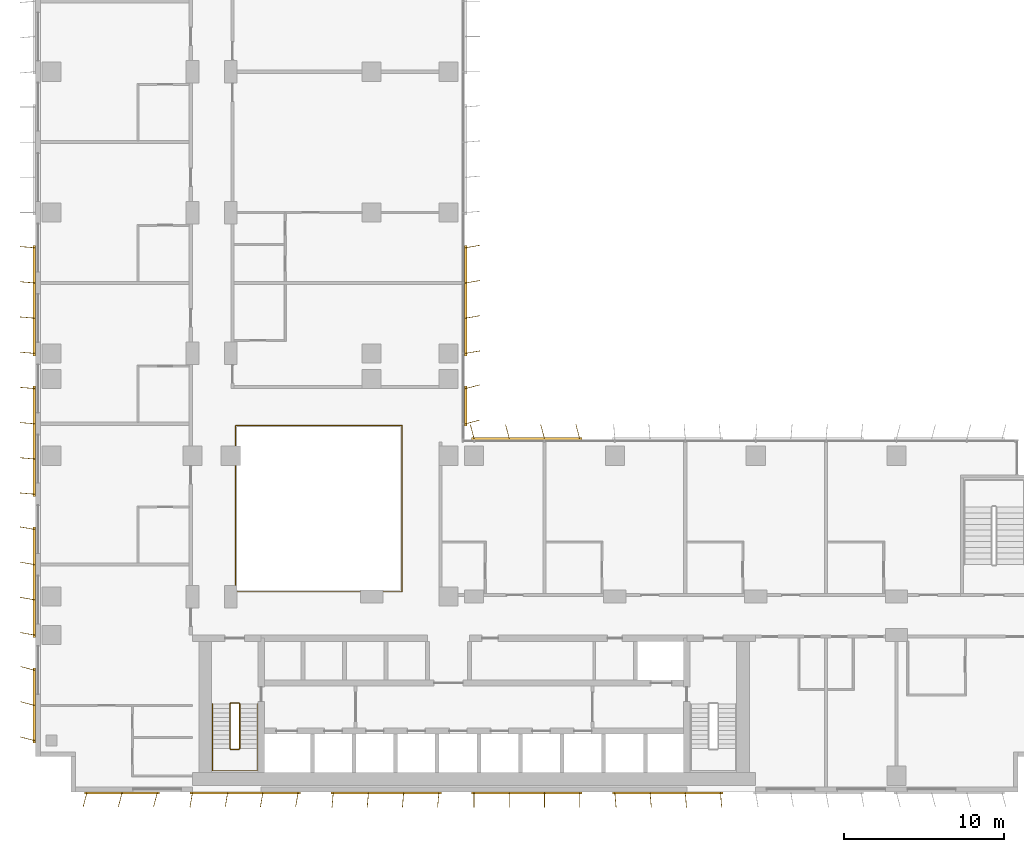
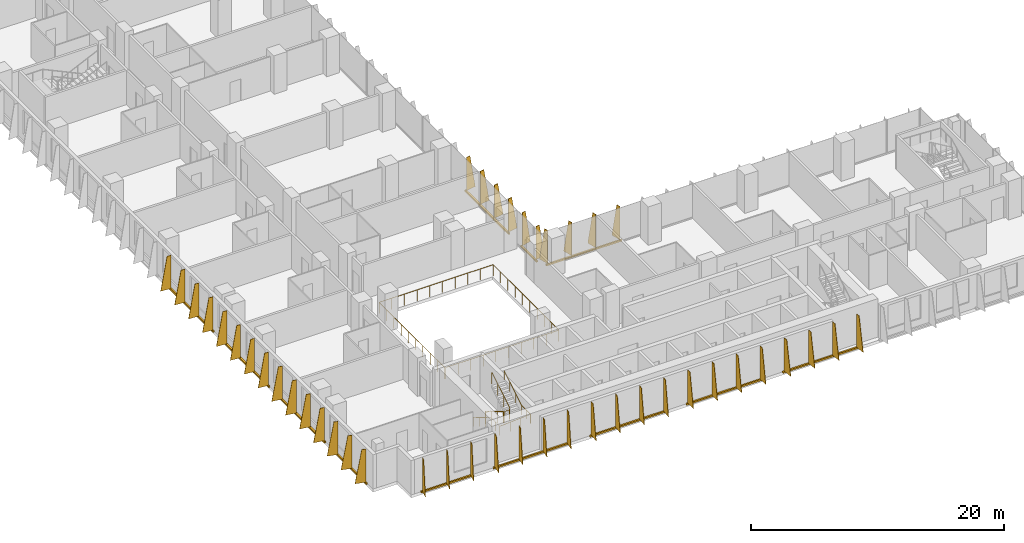
# One storey, part 19 of 22: 12 shading devices, 3 railings.
"""IFC4 building model written with IfcOpenShell, lengths in metres."""

from ifc_helpers import new_model, si_unit, direction, frame, origin, origin_2d, place, context, subcontext, project, spatial, polyline, rectangle, circle, outline, extrude, source, transform, mapped, material, layer, layer_set, type_object, element, save


model = new_model("IFC4")

# Units and contexts
model_context = context("Model", 3, precision=1e-05, world=origin(), true_north=direction((0.0, 1.0)))
body_context = subcontext(model_context, "Body", "Model", "MODEL_VIEW")
ifc_project = project(units=[si_unit("LENGTHUNIT", "METRE"), si_unit("AREAUNIT", "SQUARE_METRE"), si_unit("VOLUMEUNIT", "CUBIC_METRE"), si_unit("PLANEANGLEUNIT", "RADIAN"), si_unit("MASSUNIT", "GRAM", prefix="KILO")], contexts=[model_context])

# Site, building, storey
site_placement = place(None, origin())
site = spatial("IfcSite", under=ifc_project, at=site_placement, CompositionType="ELEMENT")
building_placement = place(site_placement, origin())
building = spatial("IfcBuilding", under=site, at=building_placement, Name="Kemantara Hotel Tower", CompositionType="ELEMENT")
storey_placement = place(building_placement, frame((0.0, 0.0, 98.199951171875)))
storey = spatial("IfcBuildingStorey", under=building, at=storey_placement, Name="L23", CompositionType="ELEMENT", Elevation=98.199951171875)

# Railings
ifc_material_1 = material(Name="Stainless steel and laminated glass balustrade", Category="steel")
railing_type_1 = type_object("IfcRailingType", Name="ATRIUM GUARD 1100", PredefinedType="GUARDRAIL", material=ifc_material_1)
railing_1_placement = place(storey_placement, frame((12.56005859375, 12.5, 0.0)))
element("IfcRailing", 1, at=railing_1_placement, inside=storey, type_object=railing_type_1, Name="ATRIUM GUARD L23", PredefinedType="GUARDRAIL", context=body_context, shape_type="SweptSolid", body=[
    extrude(circle(Radius=0.02490234375, at=origin_2d()), frame((0.0, 0.0, 1.0751953125), z_axis=(1.0, 0.0, 0.0), x_axis=(0.0, 1.0, 0.0)), (0.0, 0.0, 1.0), 10.33984375),
    extrude(circle(Radius=0.02490234375, at=origin_2d()), frame((10.33984375, 0.0, 1.0751953125), z_axis=(0.0, 1.0, 0.0), x_axis=(-1.0, 0.0, 0.0)), (0.0, 0.0, 1.0), 10.39990234375),
    extrude(circle(Radius=0.02490234375, at=origin_2d()), frame((10.33984375, 10.39990234375, 1.0751953125), z_axis=(-1.0, 0.0, 0.0), x_axis=(0.0, -1.0, 0.0)), (0.0, 0.0, 1.0), 10.39990234375),
    extrude(circle(Radius=0.02490234375, at=origin_2d()), frame((-0.06005859375, 10.39990234375, 1.0751953125), z_axis=(0.0, -1.0, 0.0), x_axis=(1.0, 0.0, 0.0)), (0.0, 0.0, 1.0), 10.39990234375),
    extrude(circle(Radius=0.02001953125, at=origin_2d()), origin(), (0.0, 0.0, 1.0), 1.050048828125),
    extrude(circle(Radius=0.02001953125, at=origin_2d()), frame((1.14892578125, 0.0, 0.0)), (0.0, 0.0, 1.0), 1.050048828125),
    extrude(circle(Radius=0.02001953125, at=origin_2d()), frame((2.2978515625, 0.0, 0.0)), (0.0, 0.0, 1.0), 1.050048828125),
    extrude(circle(Radius=0.02001953125, at=origin_2d()), frame((3.446533203125, 0.0, 0.0)), (0.0, 0.0, 1.0), 1.050048828125),
    extrude(circle(Radius=0.02001953125, at=origin_2d()), frame((4.595458984375, 0.0, 0.0)), (0.0, 0.0, 1.0), 1.050048828125),
    extrude(circle(Radius=0.02001953125, at=origin_2d()), frame((5.744384765625, 0.0, 0.0)), (0.0, 0.0, 1.0), 1.050048828125),
    extrude(circle(Radius=0.02001953125, at=origin_2d()), frame((6.893310546875, 0.0, 0.0)), (0.0, 0.0, 1.0), 1.050048828125),
    extrude(circle(Radius=0.02001953125, at=origin_2d()), frame((8.0419921875, 0.0, 0.0)), (0.0, 0.0, 1.0), 1.050048828125),
    extrude(circle(Radius=0.02001953125, at=origin_2d()), frame((9.19091796875, 0.0, 0.0)), (0.0, 0.0, 1.0), 1.050048828125),
    extrude(circle(Radius=0.02001953125, at=origin_2d()), frame((10.33984375, 0.0, 0.0)), (0.0, 0.0, 1.0), 1.050048828125),
    extrude(circle(Radius=0.02001953125, at=origin_2d()), frame((10.33984375, 1.155517578125, 0.0)), (0.0, 0.0, 1.0), 1.050048828125),
    extrude(circle(Radius=0.02001953125, at=origin_2d()), frame((10.33984375, 2.31103515625, 0.0)), (0.0, 0.0, 1.0), 1.050048828125),
    extrude(circle(Radius=0.02001953125, at=origin_2d()), frame((10.33984375, 3.466552734375, 0.0)), (0.0, 0.0, 1.0), 1.050048828125),
    extrude(circle(Radius=0.02001953125, at=origin_2d()), frame((10.33984375, 4.6220703125, 0.0)), (0.0, 0.0, 1.0), 1.050048828125),
    extrude(circle(Radius=0.02001953125, at=origin_2d()), frame((10.33984375, 5.77783203125, 0.0)), (0.0, 0.0, 1.0), 1.050048828125),
    extrude(circle(Radius=0.02001953125, at=origin_2d()), frame((10.33984375, 6.933349609375, 0.0)), (0.0, 0.0, 1.0), 1.050048828125),
    extrude(circle(Radius=0.02001953125, at=origin_2d()), frame((10.33984375, 8.0888671875, 0.0)), (0.0, 0.0, 1.0), 1.050048828125),
    extrude(circle(Radius=0.02001953125, at=origin_2d()), frame((10.33984375, 9.244384765625, 0.0)), (0.0, 0.0, 1.0), 1.050048828125),
    extrude(circle(Radius=0.02001953125, at=origin_2d()), frame((10.33984375, 10.39990234375, 0.0)), (0.0, 0.0, 1.0), 1.050048828125),
    extrude(circle(Radius=0.02001953125, at=origin_2d()), frame((9.184326171875, 10.39990234375, 0.0)), (0.0, 0.0, 1.0), 1.050048828125),
    extrude(circle(Radius=0.02001953125, at=origin_2d()), frame((8.02880859375, 10.39990234375, 0.0)), (0.0, 0.0, 1.0), 1.050048828125),
    extrude(circle(Radius=0.02001953125, at=origin_2d()), frame((6.873291015625, 10.39990234375, 0.0)), (0.0, 0.0, 1.0), 1.050048828125),
    extrude(circle(Radius=0.02001953125, at=origin_2d()), frame((5.7177734375, 10.39990234375, 0.0)), (0.0, 0.0, 1.0), 1.050048828125),
    extrude(circle(Radius=0.02001953125, at=origin_2d()), frame((4.56201171875, 10.39990234375, 0.0)), (0.0, 0.0, 1.0), 1.050048828125),
    extrude(circle(Radius=0.02001953125, at=origin_2d()), frame((3.406494140625, 10.39990234375, 0.0)), (0.0, 0.0, 1.0), 1.050048828125),
    extrude(circle(Radius=0.02001953125, at=origin_2d()), frame((2.2509765625, 10.39990234375, 0.0)), (0.0, 0.0, 1.0), 1.050048828125),
    extrude(circle(Radius=0.02001953125, at=origin_2d()), frame((1.095458984375, 10.39990234375, 0.0)), (0.0, 0.0, 1.0), 1.050048828125),
    extrude(circle(Radius=0.02001953125, at=origin_2d()), frame((-0.06005859375, 10.39990234375, 0.0)), (0.0, 0.0, 1.0), 1.050048828125),
    extrude(circle(Radius=0.02001953125, at=origin_2d()), frame((-0.06005859375, 9.244384765625, 0.0)), (0.0, 0.0, 1.0), 1.050048828125),
    extrude(circle(Radius=0.02001953125, at=origin_2d()), frame((-0.06005859375, 8.0888671875, 0.0)), (0.0, 0.0, 1.0), 1.050048828125),
    extrude(circle(Radius=0.02001953125, at=origin_2d()), frame((-0.06005859375, 6.933349609375, 0.0)), (0.0, 0.0, 1.0), 1.050048828125),
    extrude(circle(Radius=0.02001953125, at=origin_2d()), frame((-0.06005859375, 5.77783203125, 0.0)), (0.0, 0.0, 1.0), 1.050048828125),
    extrude(circle(Radius=0.02001953125, at=origin_2d()), frame((-0.06005859375, 4.6220703125, 0.0)), (0.0, 0.0, 1.0), 1.050048828125),
    extrude(circle(Radius=0.02001953125, at=origin_2d()), frame((-0.06005859375, 3.466552734375, 0.0)), (0.0, 0.0, 1.0), 1.050048828125),
    extrude(circle(Radius=0.02001953125, at=origin_2d()), frame((-0.06005859375, 2.31103515625, 0.0)), (0.0, 0.0, 1.0), 1.050048828125),
    extrude(circle(Radius=0.02001953125, at=origin_2d()), frame((-0.06005859375, 1.155517578125, 0.0)), (0.0, 0.0, 1.0), 1.050048828125),
    extrude(circle(Radius=0.02001953125, at=origin_2d()), frame((-0.06005859375, 0.0, 0.0)), (0.0, 0.0, 1.0), 1.050048828125),
])
ifc_material_2 = material(Name="Stainless steel balustrade", Category="steel")
railing_type_2 = type_object("IfcRailingType", Name="Stair guard 1100 mm", PredefinedType="GUARDRAIL", material=ifc_material_2)
railing_2_placement = place(storey_placement, frame((12.75, 5.5, 3.699951171875)))
element("IfcRailing", 2, at=railing_2_placement, inside=storey, type_object=railing_type_2, Name="L23 ST1 stair guard 1", PredefinedType="GUARDRAIL", context=body_context, shape_type="SweptSolid", body=[
    extrude(circle(Radius=0.02392578125, at=origin_2d()), frame((0.0, 0.0, 1.076171875), z_axis=(0.0, -0.857275202839, -0.514858452973), x_axis=(1.0, 0.0, 0.0)), (0.0, 0.0, 1.0), 3.26611328125),
    extrude(circle(Radius=0.02392578125, at=origin_2d()), frame((0.0, -2.800048828125, -0.60546875), z_axis=(-0.274243871929, -0.274243871929, -0.92172696468), x_axis=(0.707106781187, -0.707106781187, 0.0)), (0.0, 0.0, 1.0), 0.1826171875),
    extrude(circle(Radius=0.02392578125, at=origin_2d()), frame((-0.050048828125, -2.85009765625, -0.77392578125), z_axis=(-1.0, 0.0, 0.0), x_axis=(0.0, -1.0, 0.0)), (0.0, 0.0, 1.0), 0.5),
    extrude(circle(Radius=0.02392578125, at=origin_2d()), frame((-0.550048828125, -2.85009765625, -0.77392578125), z_axis=(-0.707106781187, 0.707106781187, 0.0), x_axis=(-0.707106781187, -0.707106781187, 0.0)), (0.0, 0.0, 1.0), 0.07080078125),
    extrude(circle(Radius=0.02392578125, at=origin_2d()), frame((-0.60009765625, -2.800048828125, -0.77392578125), z_axis=(0.0, 0.857242210791, -0.514913383045), x_axis=(-1.0, 0.0, 0.0)), (0.0, 0.0, 1.0), 3.266357421875),
    extrude(circle(Radius=0.02392578125, at=origin_2d()), frame((-0.60009765625, 0.0, -2.45556640625), z_axis=(0.274243871929, 0.274243871929, -0.92172696468), x_axis=(-0.707106781187, 0.707106781187, 0.0)), (0.0, 0.0, 1.0), 0.1826171875),
    extrude(circle(Radius=0.02392578125, at=origin_2d()), frame((-0.550048828125, 0.050048828125, -2.6240234375), z_axis=(1.0, 0.0, 0.0), x_axis=(0.0, 1.0, 0.0)), (0.0, 0.0, 1.0), 0.5),
    extrude(circle(Radius=0.02099609375, at=origin_2d()), origin(), (0.0, 0.0, 1.0), 1.052001953125),
    extrude(circle(Radius=0.02099609375, at=origin_2d()), frame((0.0, -0.933349609375, -0.560546875)), (0.0, 0.0, 1.0), 1.052001953125),
    extrude(circle(Radius=0.02099609375, at=origin_2d()), frame((0.0, -1.86669921875, -1.12109375)), (0.0, 0.0, 1.0), 1.052001953125),
    extrude(circle(Radius=0.02099609375, at=origin_2d()), frame((0.0, -2.800048828125, -1.681640625)), (0.0, 0.0, 1.0), 1.052001953125),
    extrude(circle(Radius=0.02099609375, at=origin_2d()), frame((-0.050048828125, -2.85009765625, -1.849853515625)), (0.0, 0.0, 1.0), 1.052001953125),
    extrude(circle(Radius=0.02099609375, at=origin_2d()), frame((-0.550048828125, -2.85009765625, -1.849853515625)), (0.0, 0.0, 1.0), 1.052001953125),
    extrude(circle(Radius=0.02099609375, at=origin_2d()), frame((-0.60009765625, -2.800048828125, -1.849853515625)), (0.0, 0.0, 1.0), 1.052001953125),
    extrude(circle(Radius=0.02099609375, at=origin_2d()), frame((-0.60009765625, -1.86669921875, -2.410400390625)), (0.0, 0.0, 1.0), 1.052001953125),
    extrude(circle(Radius=0.02099609375, at=origin_2d()), frame((-0.60009765625, -0.933349609375, -2.97119140625)), (0.0, 0.0, 1.0), 1.052001953125),
    extrude(circle(Radius=0.02099609375, at=origin_2d()), frame((-0.60009765625, 0.0, -3.53173828125)), (0.0, 0.0, 1.0), 1.052001953125),
    extrude(circle(Radius=0.02099609375, at=origin_2d()), frame((-0.550048828125, 0.050048828125, -3.699951171875)), (0.0, 0.0, 1.0), 1.052001953125),
    extrude(circle(Radius=0.02099609375, at=origin_2d()), frame((-0.050048828125, 0.050048828125, -3.699951171875)), (0.0, 0.0, 1.0), 1.052001953125),
])
railing_type_3 = type_object("IfcRailingType", Name="Stair handrail 900 mm", PredefinedType="HANDRAIL", material=ifc_material_2)
railing_3_placement = place(storey_placement, frame((11.050048828125, 5.5, 0.168212890625)))
element("IfcRailing", 3, at=railing_3_placement, inside=storey, type_object=railing_type_3, Name="L23 ST1 stair handrail 1", PredefinedType="HANDRAIL", context=body_context, shape_type="SweptSolid", body=[
    extrude(circle(Radius=0.02392578125, at=origin_2d()), frame((0.0, 0.0, 0.8759765625), z_axis=(0.0, -0.857242210791, 0.514913383045), x_axis=(1.0, 0.0, 0.0)), (0.0, 0.0, 1.0), 3.266357421875),
    extrude(circle(Radius=0.02392578125, at=origin_2d()), frame((0.0, -2.800048828125, 2.5576171875), z_axis=(0.0, -1.0, 0.0), x_axis=(1.0, 0.0, 0.0)), (0.0, 0.0, 1.0), 1.3798828125),
    extrude(circle(Radius=0.02392578125, at=origin_2d()), frame((0.0, -4.179931640625, 2.5576171875), z_axis=(0.998200367801, 0.0, 0.059966871865), x_axis=(0.0, 1.0, 0.0)), (0.0, 0.0, 1.0), 2.80517578125),
    extrude(circle(Radius=0.02392578125, at=origin_2d()), frame((2.800048828125, -4.179931640625, 2.72607421875), z_axis=(0.0, 1.0, 0.0), x_axis=(-1.0, 0.0, 0.0)), (0.0, 0.0, 1.0), 1.3798828125),
    extrude(circle(Radius=0.02392578125, at=origin_2d()), frame((2.800048828125, -2.800048828125, 2.72607421875), z_axis=(0.0, 0.857275202839, 0.514858452973), x_axis=(-1.0, 0.0, 0.0)), (0.0, 0.0, 1.0), 3.26611328125),
    extrude(circle(Radius=0.02099609375, at=origin_2d()), origin(), (0.0, 0.0, 1.0), 0.851806640625),
    extrude(circle(Radius=0.02099609375, at=origin_2d()), frame((0.0, -0.933349609375, 0.560546875)), (0.0, 0.0, 1.0), 0.851806640625),
    extrude(circle(Radius=0.02099609375, at=origin_2d()), frame((0.0, -1.86669921875, 1.121337890625)), (0.0, 0.0, 1.0), 0.851806640625),
    extrude(circle(Radius=0.02099609375, at=origin_2d()), frame((0.0, -2.800048828125, 1.681884765625)), (0.0, 0.0, 1.0), 0.851806640625),
    extrude(circle(Radius=0.02099609375, at=origin_2d()), frame((0.0, -3.489990234375, 1.681884765625)), (0.0, 0.0, 1.0), 0.851806640625),
    extrude(circle(Radius=0.02099609375, at=origin_2d()), frame((0.0, -4.179931640625, 1.681884765625)), (0.0, 0.0, 1.0), 0.851806640625),
    extrude(circle(Radius=0.02099609375, at=origin_2d()), frame((0.933349609375, -4.179931640625, 1.738037109375)), (0.0, 0.0, 1.0), 0.851806640625),
    extrude(circle(Radius=0.02099609375, at=origin_2d()), frame((1.86669921875, -4.179931640625, 1.7939453125)), (0.0, 0.0, 1.0), 0.851806640625),
    extrude(circle(Radius=0.02099609375, at=origin_2d()), frame((2.800048828125, -4.179931640625, 1.85009765625)), (0.0, 0.0, 1.0), 0.851806640625),
    extrude(circle(Radius=0.02099609375, at=origin_2d()), frame((2.800048828125, -3.489990234375, 1.85009765625)), (0.0, 0.0, 1.0), 0.851806640625),
    extrude(circle(Radius=0.02099609375, at=origin_2d()), frame((2.800048828125, -2.800048828125, 1.85009765625)), (0.0, 0.0, 1.0), 0.851806640625),
    extrude(circle(Radius=0.02099609375, at=origin_2d()), frame((2.800048828125, -1.86669921875, 2.41064453125)), (0.0, 0.0, 1.0), 0.851806640625),
    extrude(circle(Radius=0.02099609375, at=origin_2d()), frame((2.800048828125, -0.933349609375, 2.97119140625)), (0.0, 0.0, 1.0), 0.851806640625),
    extrude(circle(Radius=0.02099609375, at=origin_2d()), frame((2.800048828125, 0.0, 3.53173828125)), (0.0, 0.0, 1.0), 0.851806640625),
])

# Shading devices
ifc_material_3 = material(Name="Perforated aluminium plate 4 mm bronze anodised", Category="aluminium")
ifc_layer_1 = layer(ifc_material_3, 0.0400390625)
ifc_layer_set_1 = layer_set([ifc_layer_1], Name="Perforated aluminium plate 4 mm bronze anodised")
shading_device_type_1 = type_object("IfcShadingDeviceType", Name="SCREEN FIN CASSETTE, 3 BLADES AT -15.0 DEG, 3200 HIGH", PredefinedType="USERDEFINED", material=ifc_layer_set_1)
shared_shape_1 = source(origin(), body_context, "Body", "SweptSolid", [
    extrude(rectangle(XDim=4.699951171875, YDim=0.14990234375, at=origin_2d()), frame((2.199951171875, -0.074951171875, -0.14990234375), z_axis=(0.0, 0.0, 1.0), x_axis=(1.0, 0.0, 0.0)), (0.0, 0.0, 1.0), 0.14990234375),
    extrude(outline(polyline([(0.0, 0.0), (0.89990234375, 0.0), (0.35009765625, 3.199951171875), (0.0, 3.199951171875), (0.0, 0.0)])), frame((0.019287109375, -0.080078125, 0.0), z_axis=(-0.966437683387, 0.256901156343, 0.0), x_axis=(-0.256901156343, -0.966437683387, 0.0)), (0.0, 0.0, 1.0), 0.039794921875),
    extrude(outline(polyline([(0.0, 0.0), (0.89990234375, 0.0), (0.35009765625, 3.199951171875), (0.0, 3.199951171875), (0.0, 0.0)])), frame((2.21923828125, -0.080078125, 0.0), z_axis=(-0.966437683387, 0.256901156343, 0.0), x_axis=(-0.256901156343, -0.966437683387, 0.0)), (0.0, 0.0, 1.0), 0.039794921875),
    extrude(outline(polyline([(0.0, 0.0), (0.89990234375, 0.0), (0.35009765625, 3.199951171875), (0.0, 3.199951171875), (0.0, 0.0)])), frame((4.41943359375, -0.080078125, 0.0), z_axis=(-0.966837822169, 0.255391122837, 0.0), x_axis=(-0.255391122837, -0.966837822169, 0.0)), (0.0, 0.0, 1.0), 0.0400390625),
])
for number, where, z_axis, x_axis, name in (
    (4, (0.0, 7.60009765625, 0.10009765625), (0.0, 0.0, 1.0), (0.0, -1.0, 0.0), "SCREEN FIN CASSETTE L23 T2-R04-9"),
    (5, (3.199951171875, 0.0, 0.10009765625), (0.0, 0.0, 1.0), (1.0, 0.0, 0.0), "SCREEN FIN CASSETTE L23 T2-R07-1"),
):
    element("IfcShadingDevice", number, at=place(storey_placement, frame(where, z_axis=z_axis, x_axis=x_axis)), inside=storey, type_object=shading_device_type_1, Name=name, ObjectType="SCREEN FIN", PredefinedType="USERDEFINED", context=body_context, shape_type="MappedRepresentation", body=[
        mapped(shared_shape_1, transform((0.0, 0.0, 0.0))),
    ])
ifc_layer_2 = layer(ifc_material_3, 0.0400390625)
ifc_layer_set_2 = layer_set([ifc_layer_2], Name="Perforated aluminium plate 4 mm bronze anodised")
shading_device_type_2 = type_object("IfcShadingDeviceType", Name="SCREEN FIN CASSETTE, 4 BLADES AT -10.0 DEG, 3200 HIGH", PredefinedType="USERDEFINED", material=ifc_layer_set_2)
shared_shape_2 = source(origin(), body_context, "Body", "SweptSolid", [
    extrude(rectangle(XDim=6.89990234375, YDim=0.14990234375, at=origin_2d()), frame((3.300048828125, -0.074951171875, -0.14990234375), z_axis=(0.0, 0.0, 1.0), x_axis=(1.0, 0.0, 0.0)), (0.0, 0.0, 1.0), 0.14990234375),
    extrude(outline(polyline([(0.0, 0.0), (0.89990234375, 0.0), (0.35009765625, 3.199951171875), (0.0, 3.199951171875), (0.0, 0.0)])), frame((0.019775390625, -0.078369140625, 0.0), z_axis=(-0.985389793052, 0.170314285219, 0.0), x_axis=(-0.170314285219, -0.985389793052, 0.0)), (0.0, 0.0, 1.0), 0.0400390625),
    extrude(outline(polyline([(0.0, 0.0), (0.89990234375, 0.0), (0.35009765625, 3.199951171875), (0.0, 3.199951171875), (0.0, 0.0)])), frame((2.2197265625, -0.078369140625, 0.0), z_axis=(-0.98521175482, 0.171341174751, 0.0), x_axis=(-0.171341174751, -0.98521175482, 0.0)), (0.0, 0.0, 1.0), 0.039794921875),
    extrude(outline(polyline([(0.0, 0.0), (0.89990234375, 0.0), (0.35009765625, 3.199951171875), (0.0, 3.199951171875), (0.0, 0.0)])), frame((4.419677734375, -0.078369140625, 0.0), z_axis=(-0.98521175482, 0.171341174751, 0.0), x_axis=(-0.171341174751, -0.98521175482, 0.0)), (0.0, 0.0, 1.0), 0.039794921875),
    extrude(outline(polyline([(0.0, 0.0), (0.89990234375, 0.0), (0.35009765625, 3.199951171875), (0.0, 3.199951171875), (0.0, 0.0)])), frame((6.61962890625, -0.078369140625, 0.0), z_axis=(-0.98521175482, 0.171341174751, 0.0), x_axis=(-0.171341174751, -0.98521175482, 0.0)), (0.0, 0.0, 1.0), 0.039794921875),
])
for number, where, z_axis, x_axis, name in (
    (6, (0.0, 16.39990234375, 0.10009765625), (0.0, 0.0, 1.0), (0.0, -1.0, 0.0), "SCREEN FIN CASSETTE L23 T2-R04-8"),
    (7, (9.800048828125, 0.0, 0.10009765625), (0.0, 0.0, 1.0), (1.0, 0.0, 0.0), "SCREEN FIN CASSETTE L23 T2-R07-2"),
):
    element("IfcShadingDevice", number, at=place(storey_placement, frame(where, z_axis=z_axis, x_axis=x_axis)), inside=storey, type_object=shading_device_type_2, Name=name, ObjectType="SCREEN FIN", PredefinedType="USERDEFINED", context=body_context, shape_type="MappedRepresentation", body=[
        mapped(shared_shape_2, transform((0.0, 0.0, 0.0))),
    ])
ifc_layer_3 = layer(ifc_material_3, 0.0400390625)
ifc_layer_set_3 = layer_set([ifc_layer_3], Name="Perforated aluminium plate 4 mm bronze anodised")
shading_device_type_3 = type_object("IfcShadingDeviceType", Name="SCREEN FIN CASSETTE, 4 BLADES AT -5.0 DEG, 3200 HIGH", PredefinedType="USERDEFINED", material=ifc_layer_set_3)
shared_shape_3 = source(origin(), body_context, "Body", "SweptSolid", [
    extrude(rectangle(XDim=6.89990234375, YDim=0.14990234375, at=origin_2d()), frame((3.300048828125, -0.074951171875, -0.14990234375), z_axis=(0.0, 0.0, 1.0), x_axis=(1.0, 0.0, 0.0)), (0.0, 0.0, 1.0), 0.14990234375),
    extrude(outline(polyline([(0.0, 0.0), (0.89990234375, 0.0), (0.35009765625, 3.199951171875), (0.0, 3.199951171875), (0.0, 0.0)])), frame((0.02001953125, -0.07666015625, 0.0), z_axis=(-0.996376129781, 0.085056498884, 0.0), x_axis=(-0.085056498884, -0.996376129781, 0.0)), (0.0, 0.0, 1.0), 0.040283203125),
    extrude(outline(polyline([(0.0, 0.0), (0.89990234375, 0.0), (0.35009765625, 3.199951171875), (0.0, 3.199951171875), (0.0, 0.0)])), frame((2.219970703125, -0.07666015625, 0.0), z_axis=(-0.996331773833, 0.085574508182, 0.0), x_axis=(-0.085574508182, -0.996331773833, 0.0)), (0.0, 0.0, 1.0), 0.0400390625),
    extrude(outline(polyline([(0.0, 0.0), (0.89990234375, 0.0), (0.35009765625, 3.199951171875), (0.0, 3.199951171875), (0.0, 0.0)])), frame((4.419921875, -0.07666015625, 0.0), z_axis=(-0.996331773833, 0.085574508182, 0.0), x_axis=(-0.085574508182, -0.996331773833, 0.0)), (0.0, 0.0, 1.0), 0.0400390625),
    extrude(outline(polyline([(0.0, 0.0), (0.89990234375, 0.0), (0.35009765625, 3.199951171875), (0.0, 3.199951171875), (0.0, 0.0)])), frame((6.619873046875, -0.07666015625, 0.0), z_axis=(-0.996331773833, 0.085574508182, 0.0), x_axis=(-0.085574508182, -0.996331773833, 0.0)), (0.0, 0.0, 1.0), 0.0400390625),
])
for number, where, z_axis, x_axis, name in (
    (8, (0.0, 34.0, 0.10009765625), (0.0, 0.0, 1.0), (0.0, -1.0, 0.0), "SCREEN FIN CASSETTE L23 T2-R04-6"),
    (9, (0.0, 25.199951171875, 0.10009765625), (0.0, 0.0, 1.0), (0.0, -1.0, 0.0), "SCREEN FIN CASSETTE L23 T2-R04-7"),
    (10, (18.60009765625, 0.0, 0.10009765625), (0.0, 0.0, 1.0), (1.0, 0.0, 0.0), "SCREEN FIN CASSETTE L23 T2-R07-3"),
):
    element("IfcShadingDevice", number, at=place(storey_placement, frame(where, z_axis=z_axis, x_axis=x_axis)), inside=storey, type_object=shading_device_type_3, Name=name, ObjectType="SCREEN FIN", PredefinedType="USERDEFINED", context=body_context, shape_type="MappedRepresentation", body=[
        mapped(shared_shape_3, transform((0.0, 0.0, 0.0))),
    ])
ifc_layer_4 = layer(ifc_material_3, 0.0400390625)
ifc_layer_set_4 = layer_set([ifc_layer_4], Name="Perforated aluminium plate 4 mm bronze anodised")
shading_device_type_4 = type_object("IfcShadingDeviceType", Name="SCREEN FIN CASSETTE, 4 BLADES AT +0.0 DEG, 3200 HIGH", PredefinedType="USERDEFINED", material=ifc_layer_set_4)
shared_shape_4 = source(origin(), body_context, "Body", "SweptSolid", [
    extrude(rectangle(XDim=6.89990234375, YDim=0.14990234375, at=origin_2d()), frame((3.300048828125, -0.074951171875, -0.14990234375), z_axis=(0.0, 0.0, 1.0), x_axis=(1.0, 0.0, 0.0)), (0.0, 0.0, 1.0), 0.14990234375),
    extrude(outline(polyline([(0.0, 0.0), (0.89990234375, 0.0), (0.35009765625, 3.199951171875), (0.0, 3.199951171875), (0.0, 0.0)])), frame((0.02001953125, -0.074951171875, 0.0), z_axis=(-1.0, 0.0, 0.0), x_axis=(0.0, -1.0, 0.0)), (0.0, 0.0, 1.0), 0.0400390625),
    extrude(outline(polyline([(0.0, 0.0), (0.89990234375, 0.0), (0.35009765625, 3.199951171875), (0.0, 3.199951171875), (0.0, 0.0)])), frame((2.219970703125, -0.074951171875, 0.0), z_axis=(-1.0, 0.0, 0.0), x_axis=(0.0, -1.0, 0.0)), (0.0, 0.0, 1.0), 0.0400390625),
    extrude(outline(polyline([(0.0, 0.0), (0.89990234375, 0.0), (0.35009765625, 3.199951171875), (0.0, 3.199951171875), (0.0, 0.0)])), frame((4.419921875, -0.074951171875, 0.0), z_axis=(-1.0, 0.0, 0.0), x_axis=(0.0, -1.0, 0.0)), (0.0, 0.0, 1.0), 0.0400390625),
    extrude(outline(polyline([(0.0, 0.0), (0.89990234375, 0.0), (0.35009765625, 3.199951171875), (0.0, 3.199951171875), (0.0, 0.0)])), frame((6.6201171875, -0.074951171875, 0.0), z_axis=(-1.0, 0.0, 0.0), x_axis=(0.0, -1.0, 0.0)), (0.0, 0.0, 1.0), 0.0400390625),
])
shading_device_1_placement = place(storey_placement, frame((27.39990234375, 0.0, 0.10009765625), z_axis=(0.0, 0.0, 1.0), x_axis=(1.0, 0.0, 0.0)))
element("IfcShadingDevice", 11, at=shading_device_1_placement, inside=storey, type_object=shading_device_type_4, Name="SCREEN FIN CASSETTE L23 T2-R07-4", ObjectType="SCREEN FIN", PredefinedType="USERDEFINED", context=body_context, shape_type="MappedRepresentation", body=[
    mapped(shared_shape_4, transform((0.0, 0.0, 0.0))),
])
ifc_layer_5 = layer(ifc_material_3, 0.0400390625)
ifc_layer_set_5 = layer_set([ifc_layer_5], Name="Perforated aluminium plate 4 mm bronze anodised")
shading_device_type_5 = type_object("IfcShadingDeviceType", Name="SCREEN FIN CASSETTE, 4 BLADES AT +5.0 DEG, 3200 HIGH", PredefinedType="USERDEFINED", material=ifc_layer_set_5)
shared_shape_5 = source(origin(), body_context, "Body", "SweptSolid", [
    extrude(rectangle(XDim=6.89990234375, YDim=0.14990234375, at=origin_2d()), frame((3.300048828125, -0.074951171875, -0.14990234375), z_axis=(0.0, 0.0, 1.0), x_axis=(1.0, 0.0, 0.0)), (0.0, 0.0, 1.0), 0.14990234375),
    extrude(outline(polyline([(0.0, 0.0), (0.89990234375, 0.0), (0.35009765625, 3.199951171875), (0.0, 3.199951171875), (0.0, 0.0)])), frame((0.02001953125, -0.0732421875, 0.0), z_axis=(-0.996376129781, -0.085056498884, 0.0), x_axis=(0.085056498884, -0.996376129781, 0.0)), (0.0, 0.0, 1.0), 0.040283203125),
    extrude(outline(polyline([(0.0, 0.0), (0.89990234375, 0.0), (0.35009765625, 3.199951171875), (0.0, 3.199951171875), (0.0, 0.0)])), frame((2.219970703125, -0.0732421875, 0.0), z_axis=(-0.996331773833, -0.085574508182, 0.0), x_axis=(0.085574508182, -0.996331773833, 0.0)), (0.0, 0.0, 1.0), 0.0400390625),
    extrude(outline(polyline([(0.0, 0.0), (0.89990234375, 0.0), (0.35009765625, 3.199951171875), (0.0, 3.199951171875), (0.0, 0.0)])), frame((4.419921875, -0.0732421875, 0.0), z_axis=(-0.996331773833, -0.085574508182, 0.0), x_axis=(0.085574508182, -0.996331773833, 0.0)), (0.0, 0.0, 1.0), 0.0400390625),
    extrude(outline(polyline([(0.0, 0.0), (0.89990234375, 0.0), (0.35009765625, 3.199951171875), (0.0, 3.199951171875), (0.0, 0.0)])), frame((6.619873046875, -0.0732421875, 0.0), z_axis=(-0.996331773833, -0.085574508182, 0.0), x_axis=(0.085574508182, -0.996331773833, 0.0)), (0.0, 0.0, 1.0), 0.0400390625),
])
shading_device_2_placement = place(storey_placement, frame((36.199951171875, 0.0, 0.10009765625), z_axis=(0.0, 0.0, 1.0), x_axis=(1.0, 0.0, 0.0)))
element("IfcShadingDevice", 12, at=shading_device_2_placement, inside=storey, type_object=shading_device_type_5, Name="SCREEN FIN CASSETTE L23 T2-R07-5", ObjectType="SCREEN FIN", PredefinedType="USERDEFINED", context=body_context, shape_type="MappedRepresentation", body=[
    mapped(shared_shape_5, transform((0.0, 0.0, 0.0))),
])
ifc_layer_6 = layer(ifc_material_3, 0.0400390625)
ifc_layer_set_6 = layer_set([ifc_layer_6], Name="Perforated aluminium plate 4 mm bronze anodised")
shading_device_type_6 = type_object("IfcShadingDeviceType", Name="SCREEN FIN CASSETTE, 4 BLADES AT +10.0 DEG, 3200 HIGH", PredefinedType="USERDEFINED", material=ifc_layer_set_6)
shared_shape_6 = source(origin(), body_context, "Body", "SweptSolid", [
    extrude(rectangle(XDim=6.89990234375, YDim=0.14990234375, at=origin_2d()), frame((3.300048828125, -0.074951171875, -0.14990234375), z_axis=(0.0, 0.0, 1.0), x_axis=(1.0, 0.0, 0.0)), (0.0, 0.0, 1.0), 0.14990234375),
    extrude(outline(polyline([(0.0, 0.0), (0.89990234375, 0.0), (0.35009765625, 3.199951171875), (0.0, 3.199951171875), (0.0, 0.0)])), frame((0.019775390625, -0.071533203125, 0.0), z_axis=(-0.985389793052, -0.170314285219, 0.0), x_axis=(0.170314285219, -0.985389793052, 0.0)), (0.0, 0.0, 1.0), 0.0400390625),
    extrude(outline(polyline([(0.0, 0.0), (0.89990234375, 0.0), (0.35009765625, 3.199951171875), (0.0, 3.199951171875), (0.0, 0.0)])), frame((2.2197265625, -0.071533203125, 0.0), z_axis=(-0.98521175482, -0.171341174751, 0.0), x_axis=(0.171341174751, -0.98521175482, 0.0)), (0.0, 0.0, 1.0), 0.039794921875),
    extrude(outline(polyline([(0.0, 0.0), (0.89990234375, 0.0), (0.35009765625, 3.199951171875), (0.0, 3.199951171875), (0.0, 0.0)])), frame((4.419677734375, -0.071533203125, 0.0), z_axis=(-0.98521175482, -0.171341174751, 0.0), x_axis=(0.171341174751, -0.98521175482, 0.0)), (0.0, 0.0, 1.0), 0.039794921875),
    extrude(outline(polyline([(0.0, 0.0), (0.89990234375, 0.0), (0.35009765625, 3.199951171875), (0.0, 3.199951171875), (0.0, 0.0)])), frame((6.61962890625, -0.071533203125, 0.0), z_axis=(-0.98521175482, -0.171341174751, 0.0), x_axis=(0.171341174751, -0.98521175482, 0.0)), (0.0, 0.0, 1.0), 0.039794921875),
])
shading_device_3_placement = place(storey_placement, frame((26.800048828125, 27.39990234375, 0.10009765625), z_axis=(0.0, 0.0, 1.0), x_axis=(0.0, 1.0, 0.0)))
element("IfcShadingDevice", 13, at=shading_device_3_placement, inside=storey, type_object=shading_device_type_6, Name="SCREEN FIN CASSETTE L23 T2-R14-2", ObjectType="SCREEN FIN", PredefinedType="USERDEFINED", context=body_context, shape_type="MappedRepresentation", body=[
    mapped(shared_shape_6, transform((0.0, 0.0, 0.0))),
])
ifc_layer_7 = layer(ifc_material_3, 0.0400390625)
ifc_layer_set_7 = layer_set([ifc_layer_7], Name="Perforated aluminium plate 4 mm bronze anodised")
shading_device_type_7 = type_object("IfcShadingDeviceType", Name="SCREEN FIN CASSETTE, 4 BLADES AT +15.0 DEG, 3200 HIGH", PredefinedType="USERDEFINED", material=ifc_layer_set_7)
shared_shape_7 = source(origin(), body_context, "Body", "SweptSolid", [
    extrude(rectangle(XDim=6.89990234375, YDim=0.14990234375, at=origin_2d()), frame((3.300048828125, -0.074951171875, -0.14990234375), z_axis=(0.0, 0.0, 1.0), x_axis=(1.0, 0.0, 0.0)), (0.0, 0.0, 1.0), 0.14990234375),
    extrude(outline(polyline([(0.0, 0.0), (0.89990234375, 0.0), (0.35009765625, 3.199951171875), (0.0, 3.199951171875), (0.0, 0.0)])), frame((0.019287109375, -0.06982421875, 0.0), z_axis=(-0.966437683387, -0.256901156343, 0.0), x_axis=(0.256901156343, -0.966437683387, 0.0)), (0.0, 0.0, 1.0), 0.039794921875),
    extrude(outline(polyline([(0.0, 0.0), (0.89990234375, 0.0), (0.35009765625, 3.199951171875), (0.0, 3.199951171875), (0.0, 0.0)])), frame((2.21923828125, -0.06982421875, 0.0), z_axis=(-0.966437683387, -0.256901156343, 0.0), x_axis=(0.256901156343, -0.966437683387, 0.0)), (0.0, 0.0, 1.0), 0.039794921875),
    extrude(outline(polyline([(0.0, 0.0), (0.89990234375, 0.0), (0.35009765625, 3.199951171875), (0.0, 3.199951171875), (0.0, 0.0)])), frame((4.41943359375, -0.06982421875, 0.0), z_axis=(-0.966837822169, -0.255391122837, 0.0), x_axis=(0.255391122837, -0.966837822169, 0.0)), (0.0, 0.0, 1.0), 0.0400390625),
    extrude(outline(polyline([(0.0, 0.0), (0.89990234375, 0.0), (0.35009765625, 3.199951171875), (0.0, 3.199951171875), (0.0, 0.0)])), frame((6.619384765625, -0.06982421875, 0.0), z_axis=(-0.966837822169, -0.255391122837, 0.0), x_axis=(0.255391122837, -0.966837822169, 0.0)), (0.0, 0.0, 1.0), 0.0400390625),
])
shading_device_4_placement = place(storey_placement, frame((34.0, 22.0, 0.10009765625), z_axis=(0.0, 0.0, 1.0), x_axis=(-1.0, 0.0, 0.0)))
element("IfcShadingDevice", 14, at=shading_device_4_placement, inside=storey, type_object=shading_device_type_7, Name="SCREEN FIN CASSETTE L23 T2-R13-4", ObjectType="SCREEN FIN", PredefinedType="USERDEFINED", context=body_context, shape_type="MappedRepresentation", body=[
    mapped(shared_shape_7, transform((0.0, 0.0, 0.0))),
])
ifc_layer_8 = layer(ifc_material_3, 0.0400390625)
ifc_layer_set_8 = layer_set([ifc_layer_8], Name="Perforated aluminium plate 4 mm bronze anodised")
shading_device_type_8 = type_object("IfcShadingDeviceType", Name="SCREEN FIN CASSETTE, 2 BLADES AT +15.0 DEG, 3200 HIGH", PredefinedType="USERDEFINED", material=ifc_layer_set_8)
shared_shape_8 = source(origin(), body_context, "Body", "SweptSolid", [
    extrude(rectangle(XDim=2.5, YDim=0.14990234375, at=origin_2d()), frame((1.10009765625, -0.074951171875, -0.14990234375), z_axis=(0.0, 0.0, 1.0), x_axis=(1.0, 0.0, 0.0)), (0.0, 0.0, 1.0), 0.14990234375),
    extrude(outline(polyline([(0.0, 0.0), (0.89990234375, 0.0), (0.35009765625, 3.199951171875), (0.0, 3.199951171875), (0.0, 0.0)])), frame((0.019287109375, -0.06982421875, 0.0), z_axis=(-0.966437683387, -0.256901156343, 0.0), x_axis=(0.256901156343, -0.966437683387, 0.0)), (0.0, 0.0, 1.0), 0.039794921875),
    extrude(outline(polyline([(0.0, 0.0), (0.89990234375, 0.0), (0.35009765625, 3.199951171875), (0.0, 3.199951171875), (0.0, 0.0)])), frame((2.21923828125, -0.06982421875, 0.0), z_axis=(-0.966437683387, -0.256901156343, 0.0), x_axis=(0.256901156343, -0.966437683387, 0.0)), (0.0, 0.0, 1.0), 0.039794921875),
])
shading_device_5_placement = place(storey_placement, frame((26.800048828125, 23.0, 0.10009765625), z_axis=(0.0, 0.0, 1.0), x_axis=(0.0, 1.0, 0.0)))
element("IfcShadingDevice", 15, at=shading_device_5_placement, inside=storey, type_object=shading_device_type_8, Name="SCREEN FIN CASSETTE L23 T2-R14-1", ObjectType="SCREEN FIN", PredefinedType="USERDEFINED", context=body_context, shape_type="MappedRepresentation", body=[
    mapped(shared_shape_8, transform((0.0, 0.0, 0.0))),
])

save(model, "model.ifc")
